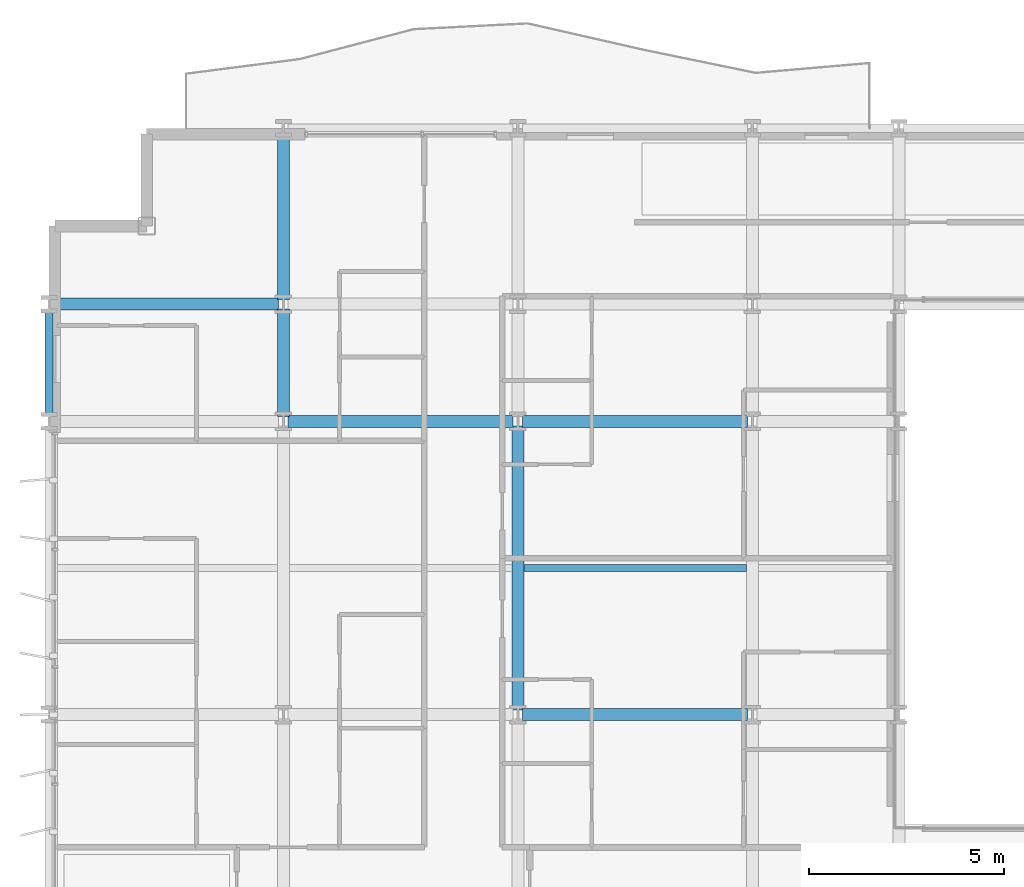
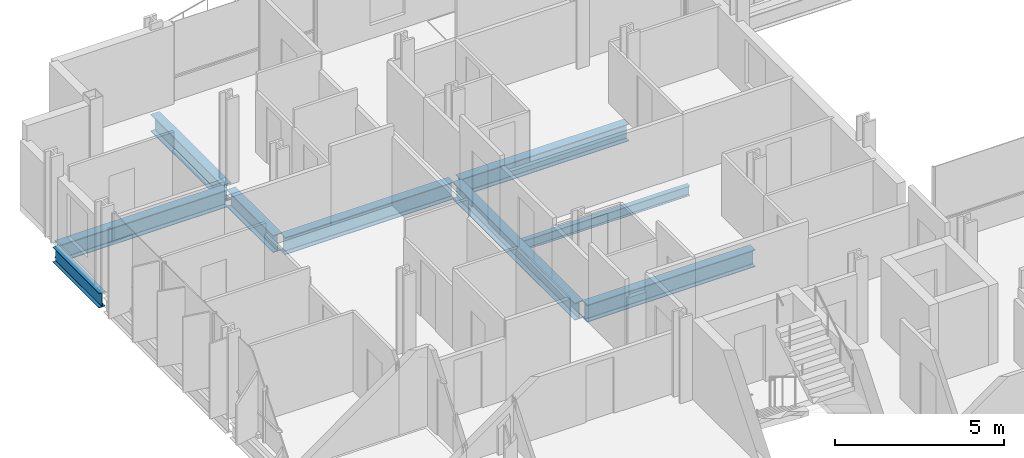
# One storey, part 6 of 39: 9 beams.
"""IFC4 building model written with IfcOpenShell, lengths in metres."""

from ifc_helpers import new_model, si_unit, direction, frame, origin, origin_2d, place, context, subcontext, project, spatial, i_section, extrude, material, material_profile, profile_set, type_object, element, save


model = new_model("IFC4")

# Units and contexts
model_context = context("Model", 3, precision=1e-05, world=origin(), true_north=direction((0.0, 1.0)))
body_context = subcontext(model_context, "Body", "Model", "MODEL_VIEW")
ifc_project = project(units=[si_unit("LENGTHUNIT", "METRE"), si_unit("AREAUNIT", "SQUARE_METRE"), si_unit("VOLUMEUNIT", "CUBIC_METRE"), si_unit("PLANEANGLEUNIT", "RADIAN"), si_unit("MASSUNIT", "GRAM", prefix="KILO")], contexts=[model_context])

# Site, building, storey
site_placement = place(None, origin())
site = spatial("IfcSite", under=ifc_project, at=site_placement, CompositionType="ELEMENT")
building_placement = place(site_placement, origin())
building = spatial("IfcBuilding", under=site, at=building_placement, Name="Brevholm Reach", CompositionType="ELEMENT")
storey_placement = place(building_placement, frame((0.0, 0.0, 40.39990234375)))
storey = spatial("IfcBuildingStorey", under=building, at=storey_placement, Name="L10", CompositionType="ELEMENT", Elevation=40.39990234375)

# Beams
ifc_material_1 = material(Name="Structural Steel S355J2", Category="steel")
ifc_material_profile_1 = material_profile(ifc_material_1, i_section(OverallWidth=0.17138671875, OverallDepth=0.35498046875, WebThickness=0.00732421875, FlangeThickness=0.011474609375, FilletRadius=0.01025390625, at=origin_2d()), Name="UKB 356x171x51")
ifc_profile_set_1 = profile_set([ifc_material_profile_1], Name="Structural Steel S355J2")
beam_type_1 = type_object("IfcBeamType", Name="BM-B356", PredefinedType="BEAM", material=ifc_profile_set_1)
beam_1_placement = place(storey_placement, frame((12.153564453125, 19.75, -0.407470703125), z_axis=(1.0, 0.0, 0.0), x_axis=(0.0, 1.0, 0.0)))
element("IfcBeam", 1, at=beam_1_placement, inside=storey, type_object=beam_type_1, Name="L10 Composite Secondary Floor Beam", PredefinedType="BEAM", context=body_context, shape_type="SweptSolid", body=[
    extrude(i_section(OverallWidth=0.17138671875, OverallDepth=0.35498046875, WebThickness=0.00732421875, FlangeThickness=0.011474609375, FilletRadius=0.01025390625, at=origin_2d()), origin(), (0.0, 0.0, 1.0), 5.69287109375),
])
ifc_material_2 = material(Name="Structural Steel S355J2", Category="steel")
ifc_material_profile_2 = material_profile(ifc_material_2, i_section(OverallWidth=0.210693359375, OverallDepth=0.53955078125, WebThickness=0.01171875, FlangeThickness=0.018798828125, FilletRadius=0.0126953125, at=origin_2d()), Name="UKB 533x210x109")
ifc_profile_set_2 = profile_set([ifc_material_profile_2], Name="Structural Steel S355J2")
beam_type_2 = type_object("IfcBeamType", Name="BM-SP539", PredefinedType="SPANDREL", material=ifc_profile_set_2)
beam_2_placement = place(storey_placement, frame((0.0, 23.6201171875, -0.499755859375), z_axis=(0.0, 1.0, 0.0), x_axis=(-1.0, 0.0, 0.0)))
element("IfcBeam", 2, at=beam_2_placement, inside=storey, type_object=beam_type_2, Name="L10 SP-01B Framing Beam", PredefinedType="SPANDREL", context=body_context, shape_type="SweptSolid", body=[
    extrude(i_section(OverallWidth=0.210693359375, OverallDepth=0.53955078125, WebThickness=0.01171875, FlangeThickness=0.018798828125, FilletRadius=0.0126953125, at=origin_2d()), origin(), (0.0, 0.0, 1.0), 2.759765625),
])
ifc_material_3 = material(Name="Structural Steel S355J2", Category="steel")
ifc_material_profile_3 = material_profile(ifc_material_3, i_section(OverallWidth=0.30712890625, OverallDepth=0.6201171875, WebThickness=0.01416015625, FlangeThickness=0.023681640625, FilletRadius=0.0166015625, at=origin_2d()), Name="UKB 610x305x179")
ifc_profile_set_3 = profile_set([ifc_material_profile_3], Name="Structural Steel S355J2")
beam_type_3 = type_object("IfcBeamType", Name="BM-UKB610H", PredefinedType="USERDEFINED", material=ifc_profile_set_3)
for number, where, z_axis, x_axis, name in (
    (3, (12.1201171875, 16.0, -0.5400390625), (1.0, 0.0, 0.0), (0.0, 1.0, 0.0), "L10 G-06 Framing Beam"),
    (4, (6.1201171875, 23.5, -0.5400390625), (1.0, 0.0, 0.0), (0.0, 1.0, 0.0), "L10 G-06 Framing Beam"),
    (5, (12.1201171875, 23.5, -0.5400390625), (1.0, 0.0, 0.0), (0.0, 1.0, 0.0), "L10 G-06 Framing Beam"),
    (6, (0.1201171875, 26.5, -0.5400390625), (1.0, 0.0, 0.0), (0.0, 1.0, 0.0), "L10 G-06 Framing Beam"),
):
    element("IfcBeam", number, at=place(storey_placement, frame(where, z_axis=z_axis, x_axis=x_axis)), inside=storey, type_object=beam_type_3, Name=name, ObjectType="GIRDER", PredefinedType="USERDEFINED", context=body_context, shape_type="SweptSolid", body=[
        extrude(i_section(OverallWidth=0.30712890625, OverallDepth=0.6201171875, WebThickness=0.01416015625, FlangeThickness=0.023681640625, FilletRadius=0.0166015625, at=origin_2d()), origin(), (0.0, 0.0, 1.0), 5.759765625),
    ])
beam_3_placement = place(storey_placement, frame((6.0, 23.6201171875, -0.5400390625), z_axis=(0.0, 1.0, 0.0), x_axis=(-1.0, 0.0, 0.0)))
element("IfcBeam", 7, at=beam_3_placement, inside=storey, type_object=beam_type_3, Name="L10 G-06 Framing Beam", ObjectType="GIRDER", PredefinedType="USERDEFINED", context=body_context, shape_type="SweptSolid", body=[
    extrude(i_section(OverallWidth=0.30712890625, OverallDepth=0.6201171875, WebThickness=0.01416015625, FlangeThickness=0.023681640625, FilletRadius=0.0166015625, at=origin_2d()), origin(), (0.0, 0.0, 1.0), 2.759765625),
])
beam_4_placement = place(storey_placement, frame((6.0, 26.6201171875, -0.5400390625), z_axis=(0.0, 1.0, 0.0), x_axis=(-1.0, 0.0, 0.0)))
element("IfcBeam", 8, at=beam_4_placement, inside=storey, type_object=beam_type_3, Name="L10 G-06 Framing Beam", ObjectType="GIRDER", PredefinedType="USERDEFINED", context=body_context, shape_type="SweptSolid", body=[
    extrude(i_section(OverallWidth=0.30712890625, OverallDepth=0.6201171875, WebThickness=0.01416015625, FlangeThickness=0.023681640625, FilletRadius=0.0166015625, at=origin_2d()), origin(), (0.0, 0.0, 1.0), 4.259765625),
])
beam_5_placement = place(storey_placement, frame((12.0, 16.1201171875, -0.5400390625), z_axis=(0.0, 1.0, 0.0), x_axis=(-1.0, 0.0, 0.0)))
element("IfcBeam", 9, at=beam_5_placement, inside=storey, type_object=beam_type_3, Name="L10 G-06 Framing Beam", ObjectType="GIRDER", PredefinedType="USERDEFINED", context=body_context, shape_type="SweptSolid", body=[
    extrude(i_section(OverallWidth=0.30712890625, OverallDepth=0.6201171875, WebThickness=0.01416015625, FlangeThickness=0.023681640625, FilletRadius=0.0166015625, at=origin_2d()), origin(), (0.0, 0.0, 1.0), 7.259765625),
])

save(model, "model.ifc")
